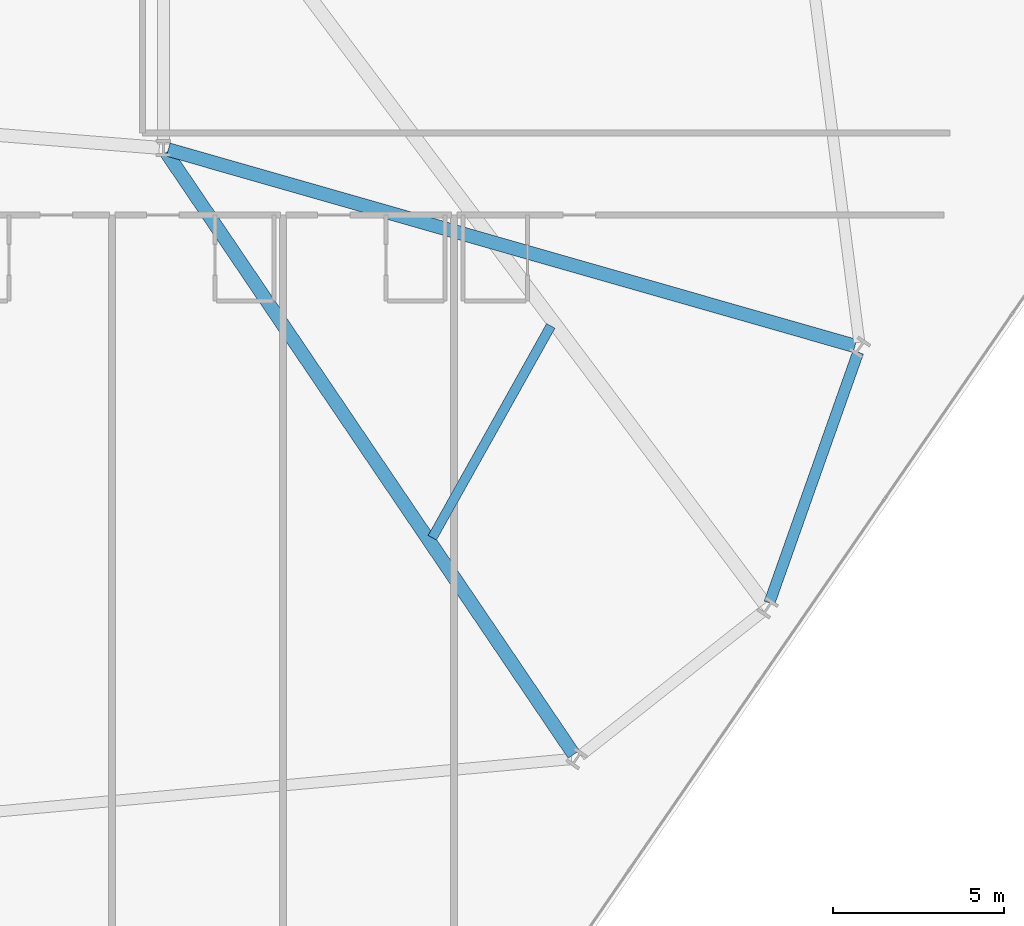
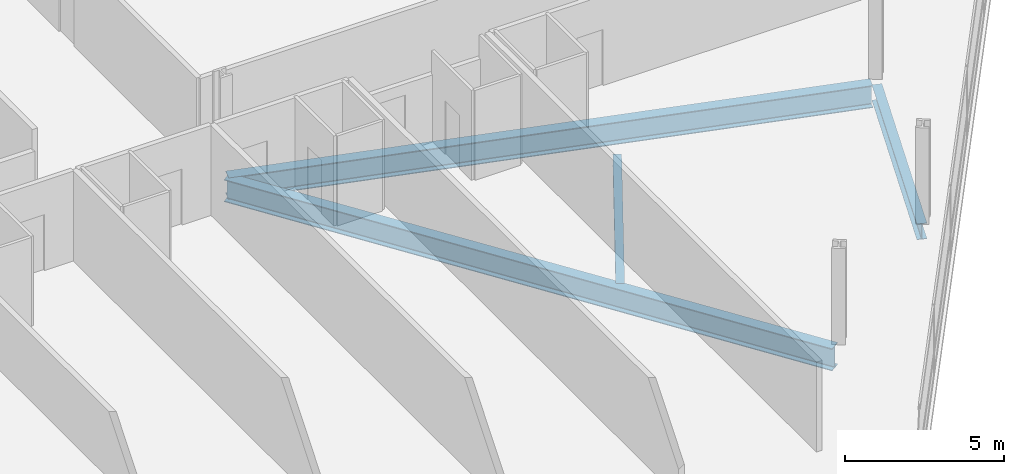
# One storey, part 8 of 25: 4 beams.
"""IFC4 building model written with IfcOpenShell, lengths in metres."""

from ifc_helpers import new_model, si_unit, direction, frame, origin, origin_2d, place, context, subcontext, project, spatial, i_section, extrude, material, material_profile, profile_set, type_object, element, save


model = new_model("IFC4")

# Units and contexts
model_context = context("Model", 3, precision=1e-05, world=origin(), true_north=direction((0.0, 1.0)))
body_context = subcontext(model_context, "Body", "Model", "MODEL_VIEW")
ifc_project = project(units=[si_unit("LENGTHUNIT", "METRE"), si_unit("AREAUNIT", "SQUARE_METRE"), si_unit("VOLUMEUNIT", "CUBIC_METRE"), si_unit("PLANEANGLEUNIT", "RADIAN"), si_unit("MASSUNIT", "GRAM", prefix="KILO")], contexts=[model_context])

# Site, building, storey
site_placement = place(None, origin())
site = spatial("IfcSite", under=ifc_project, at=site_placement, CompositionType="ELEMENT")
building_placement = place(site_placement, origin())
building = spatial("IfcBuilding", under=site, at=building_placement, Name="Varnelok Gate Tower", CompositionType="ELEMENT")
storey_placement = place(building_placement, frame((0.0, 0.0, 34.39990234375)))
storey = spatial("IfcBuildingStorey", under=building, at=storey_placement, Name="L07", CompositionType="ELEMENT", Elevation=34.39990234375)

# Beams
ifc_material = material(Name="Structural Steel ASTM A992 Grade 50", Category="steel")
ifc_material_profile_1 = material_profile(ifc_material, i_section(OverallWidth=0.280029296875, OverallDepth=0.462890625, WebThickness=0.0107421875, FlangeThickness=0.017333984375, FilletRadius=0.014892578125, at=origin_2d()), Name="W18X76")
ifc_profile_set_1 = profile_set([ifc_material_profile_1], Name="Structural Steel ASTM A992 Grade 50")
beam_type_1 = type_object("IfcBeamType", Name="BM-JST-W18X76", PredefinedType="JOIST", material=ifc_profile_set_1)
beam_1_placement = place(storey_placement, frame((61.863037109375, 7.41064453125, -0.4814453125), z_axis=(0.488383359311, 0.872629184905, 0.0), x_axis=(-0.872629184905, 0.488383359311, 0.0)))
element("IfcBeam", 1, at=beam_1_placement, inside=storey, type_object=beam_type_1, Name="L07 Sector Floor Joist 5", PredefinedType="JOIST", context=body_context, shape_type="SweptSolid", body=[
    extrude(i_section(OverallWidth=0.280029296875, OverallDepth=0.462890625, WebThickness=0.0107421875, FlangeThickness=0.017333984375, FilletRadius=0.014892578125, at=origin_2d()), origin(), (0.0, 0.0, 1.0), 7.096435546875),
])
ifc_material_profile_2 = material_profile(ifc_material, i_section(OverallWidth=0.39892578125, OverallDepth=0.85498046875, WebThickness=0.018310546875, FlangeThickness=0.029296875, FilletRadius=0.02392578125, at=origin_2d()), Name="W33X201")
ifc_profile_set_2 = profile_set([ifc_material_profile_2], Name="Structural Steel ASTM A992 Grade 50")
beam_type_2 = type_object("IfcBeamType", Name="BM-PRI-W33X201", PredefinedType="BEAM", material=ifc_profile_set_2)
beam_2_placement = place(storey_placement, frame((54.083984375, 18.67578125, -0.677490234375), z_axis=(0.560684565433, -0.828029478995, 0.0), x_axis=(0.828029478995, 0.560684565433, 0.0)))
element("IfcBeam", 2, at=beam_2_placement, inside=storey, type_object=beam_type_2, Name="L07 Radial Floor Girder 6", PredefinedType="BEAM", context=body_context, shape_type="SweptSolid", body=[
    extrude(i_section(OverallWidth=0.39892578125, OverallDepth=0.85498046875, WebThickness=0.018310546875, FlangeThickness=0.029296875, FilletRadius=0.02392578125, at=origin_2d()), origin(), (0.0, 0.0, 1.0), 21.25390625),
])
beam_3_placement = place(storey_placement, frame((54.144287109375, 18.7587890625, -0.677490234375), z_axis=(0.961463485116, -0.274932658643, 0.0), x_axis=(0.274932658643, 0.961463485116, 0.0)))
element("IfcBeam", 3, at=beam_3_placement, inside=storey, type_object=beam_type_2, Name="L07 Radial Floor Girder 8", PredefinedType="BEAM", context=body_context, shape_type="SweptSolid", body=[
    extrude(i_section(OverallWidth=0.39892578125, OverallDepth=0.85498046875, WebThickness=0.018310546875, FlangeThickness=0.029296875, FilletRadius=0.02392578125, at=origin_2d()), origin(), (0.0, 0.0, 1.0), 20.883056640625),
])
ifc_material_profile_3 = material_profile(ifc_material, i_section(OverallWidth=0.323974609375, OverallDepth=0.611083984375, WebThickness=0.0126953125, FlangeThickness=0.01904296875, FilletRadius=0.01806640625, at=origin_2d()), Name="W24X104")
ifc_profile_set_3 = profile_set([ifc_material_profile_3], Name="Structural Steel ASTM A992 Grade 50")
beam_type_3 = type_object("IfcBeamType", Name="BM-SPN-W24X104", PredefinedType="SPANDREL", material=ifc_profile_set_3)
beam_4_placement = place(storey_placement, frame((71.72021484375, 5.50390625, -0.555419921875), z_axis=(0.333887238705, 0.942613023372, 0.0), x_axis=(-0.942613023372, 0.333887238705, 0.0)))
element("IfcBeam", 4, at=beam_4_placement, inside=storey, type_object=beam_type_3, Name="L07 Perimeter Spandrel Beam 7", PredefinedType="SPANDREL", context=body_context, shape_type="SweptSolid", body=[
    extrude(i_section(OverallWidth=0.323974609375, OverallDepth=0.611083984375, WebThickness=0.0126953125, FlangeThickness=0.01904296875, FilletRadius=0.01806640625, at=origin_2d()), origin(), (0.0, 0.0, 1.0), 7.777099609375),
])

save(model, "model.ifc")
